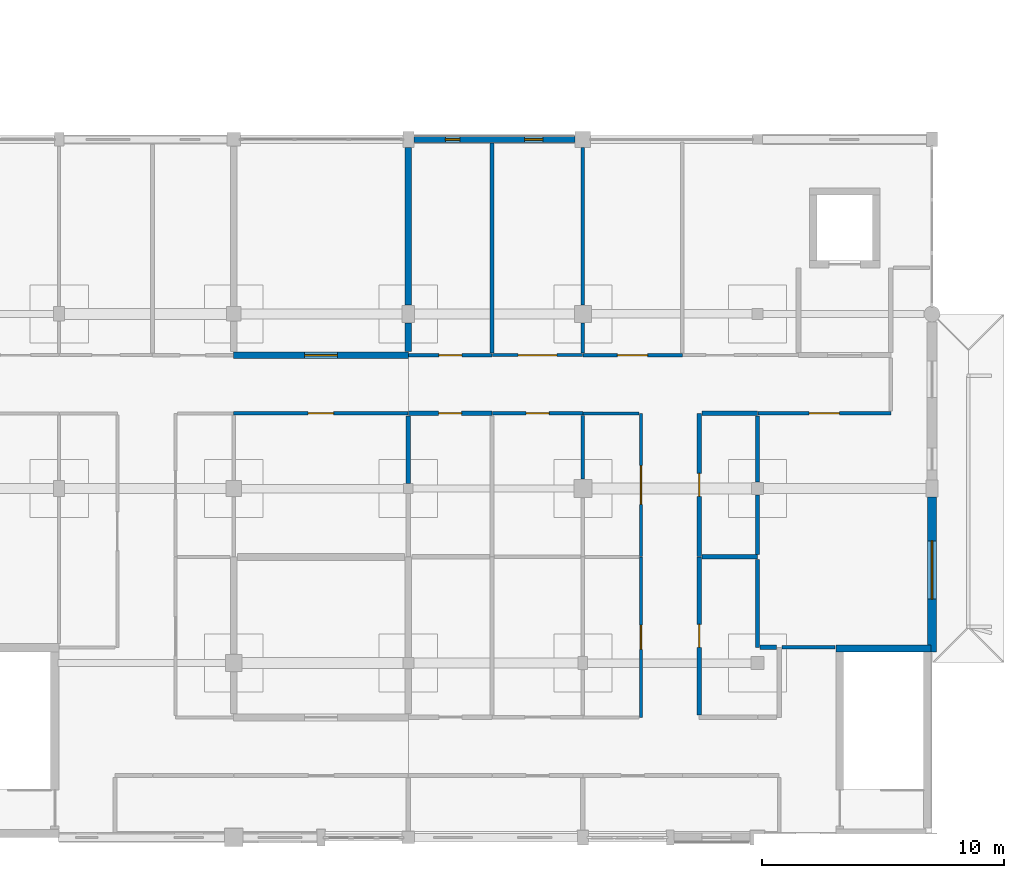
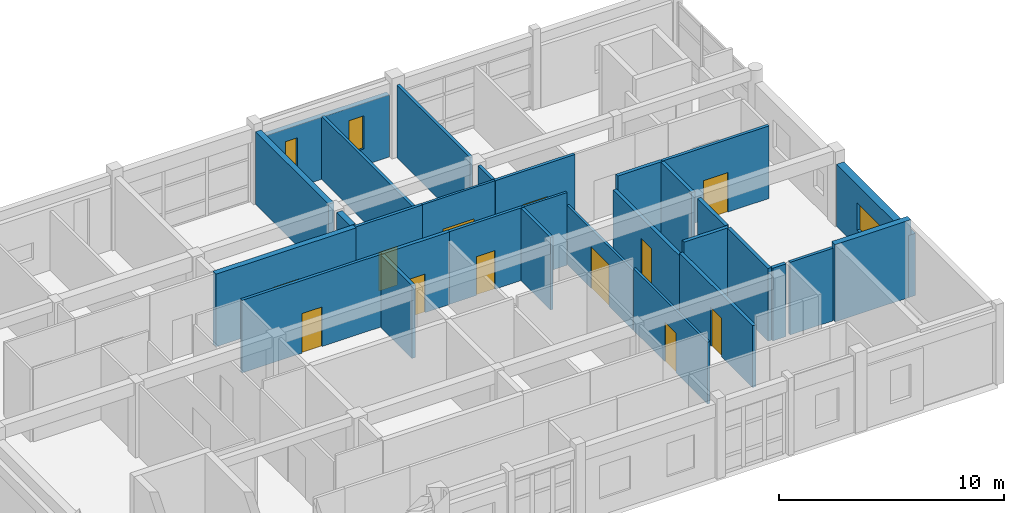
# One storey, part 93 of 110: 30 walls, 12 doors, 3 windows, 15 openings.
"""IFC4 building model written with IfcOpenShell, lengths in metres."""

from ifc_helpers import new_model, si_unit, direction, frame, frame_2d, origin, place, context, subcontext, project, spatial, rectangle, extrude, material, layer, layer_set, type_object, element, fill, save


model = new_model("IFC4")

# Units and contexts
model_context = context("Model", 3, precision=1e-05, world=origin(), true_north=direction((0.0, 1.0)))
body_context = subcontext(model_context, "Body", "Model", "MODEL_VIEW")
ifc_project = project(units=[si_unit("LENGTHUNIT", "METRE"), si_unit("AREAUNIT", "SQUARE_METRE"), si_unit("VOLUMEUNIT", "CUBIC_METRE"), si_unit("PLANEANGLEUNIT", "RADIAN"), si_unit("MASSUNIT", "GRAM", prefix="KILO")], contexts=[model_context])

# Site, building, storey
site_placement = place(None, origin())
site = spatial("IfcSite", under=ifc_project, at=site_placement, CompositionType="ELEMENT")
building_placement = place(site_placement, origin())
building = spatial("IfcBuilding", under=site, at=building_placement, Name="Steenspoor Specialist Clinic", CompositionType="ELEMENT")
storey_placement = place(building_placement, frame((0.0, 0.0, 4.800048828125)))
storey = spatial("IfcBuildingStorey", under=building, at=storey_placement, Name="L01", CompositionType="ELEMENT", Elevation=4.800048828125)

# Wall, opening, window
ifc_material_1 = material(Name="Extruded clay brick masonry", Category="masonry")
ifc_layer_1 = layer(ifc_material_1, 0.3798828125)
ifc_layer_set_1 = layer_set([ifc_layer_1], Name="Extruded clay brick masonry")
wall_type_1 = type_object("IfcWallType", Name="W-BRICK-380", PredefinedType="USERDEFINED", material=ifc_layer_set_1)
wall_1_placement = place(storey_placement, frame((161.199951171875, 27.10009765625, 0.0), z_axis=(0.0, 0.0, 1.0), x_axis=(0.0, -1.0, 0.0)))
wall_1 = element("IfcWall", 1, at=wall_1_placement, inside=storey, type_object=wall_type_1, Name="Exterior Brick Wall EW-V2-L01-0069", ObjectType="CAVITY VENEER", PredefinedType="USERDEFINED", context=body_context, shape_type="SweptSolid", body=[
    extrude(rectangle(XDim=6.400146484375, YDim=0.3798828125, at=frame_2d((3.2001953125, 0.0))), origin(), (0.0, 0.0, 1.0), 3.3798828125),
])
opening_1_placement = place(wall_1_placement, frame((1.81494140625, 0.0, 0.89990234375)))
opening_1 = element("IfcOpeningElement", 2, at=opening_1_placement, cuts=wall_1, Name="Opening WN-14", PredefinedType="OPENING", context=body_context, shape_type="SweptSolid", body=[
    extrude(rectangle(XDim=2.39990234375, YDim=1.5, at=frame_2d((1.199951171875, 0.75))), frame((0.0, 0.199951171875, 0.0), z_axis=(0.0, -1.0, 0.0), x_axis=(1.0, 0.0, 0.0)), (0.0, 0.0, 1.0), 0.39990234375),
])
ifc_material_2 = material(Name="Thermally broken aluminium and low-emissivity glass", Category="aluminium")
window_type_1 = type_object("IfcWindowType", Name="WN-EXT-240X150", PartitioningType="SINGLE_PANEL", PredefinedType="WINDOW", material=ifc_material_2)
window_1_placement = place(opening_1_placement, origin())
window_1 = element("IfcWindow", 3, at=window_1_placement, inside=storey, type_object=window_type_1, Name="Window 0085", OverallHeight=1.5, OverallWidth=2.39990234375, PartitioningType="SINGLE_PANEL", PredefinedType="WINDOW", context=body_context, shape_type="SweptSolid", body=[
    extrude(rectangle(XDim=2.39990234375, YDim=1.5, at=frame_2d((1.199951171875, 0.75))), frame((0.0, 0.030029296875, 0.0), z_axis=(0.0, -1.0, 0.0), x_axis=(1.0, 0.0, 0.0)), (0.0, 0.0, 1.0), 0.06005859375),
])
fill(opening_1, window_1)

# Wall
ifc_material_3 = material(Name="Gypsum acoustic clinical partition", Category="gypsum")
ifc_layer_2 = layer(ifc_material_3, 0.14990234375)
ifc_layer_set_2 = layer_set([ifc_layer_2], Name="Gypsum acoustic clinical partition")
wall_type_2 = type_object("IfcWallType", Name="W-CLIN-150", PredefinedType="PARTITIONING", material=ifc_layer_set_2)
wall_2_placement = place(storey_placement, frame((155.0048828125, 20.89990234375, 0.0), z_axis=(0.0, 0.0, 1.0), x_axis=(1.0, 0.0, 0.0)))
element("IfcWall", 4, at=wall_2_placement, inside=storey, type_object=wall_type_2, Name="Interior Partition IW-V2-L01-0872", PredefinedType="PARTITIONING", context=body_context, shape_type="SweptSolid", body=[
    extrude(rectangle(XDim=2.195068359375, YDim=0.14990234375, at=frame_2d((1.09765625, 0.0))), origin(), (0.0, 0.0, 1.0), 3.949951171875),
])

# Wall, opening, door
wall_3_placement = place(storey_placement, frame((154.014892578125, 30.550048828125, 0.0), z_axis=(0.0, 0.0, 1.0), x_axis=(1.0, 0.0, 0.0)))
wall_3 = element("IfcWall", 5, at=wall_3_placement, inside=storey, type_object=wall_type_2, Name="Interior Partition IW-V2-L01-0873", PredefinedType="PARTITIONING", context=body_context, shape_type="SweptSolid", body=[
    extrude(rectangle(XDim=5.485107421875, YDim=0.14990234375, at=frame_2d((2.74267578125, 0.0))), origin(), (0.0, 0.0, 1.0), 3.949951171875),
])
opening_2_placement = place(wall_3_placement, frame((2.117431640625, 0.0, 0.0)))
opening_2 = element("IfcOpeningElement", 6, at=opening_2_placement, cuts=wall_3, Name="Opening D0116", PredefinedType="OPENING", context=body_context, shape_type="SweptSolid", body=[
    extrude(rectangle(XDim=1.25, YDim=2.14990234375, at=frame_2d((0.625, 1.074951171875))), frame((0.0, 0.0849609375, 0.0), z_axis=(0.0, -1.0, 0.0), x_axis=(1.0, 0.0, 0.0)), (0.0, 0.0, 1.0), 0.169921875),
])
ifc_material_4 = material(Name="Hygienic HPL clinical timber door", Category="wood")
door_type_1 = type_object("IfcDoorType", Name="DT-EXAM-125X215", OperationType="NOTDEFINED", PredefinedType="DOOR", material=ifc_material_4)
door_1_placement = place(opening_2_placement, origin())
door_1 = element("IfcDoor", 7, at=door_1_placement, inside=storey, type_object=door_type_1, Name="Clinical Door D0116", OperationType="SINGLE_SWING_LEFT", OverallHeight=2.14990234375, OverallWidth=1.25, PredefinedType="DOOR", context=body_context, shape_type="SweptSolid", body=[
    extrude(rectangle(XDim=1.25, YDim=2.14990234375, at=frame_2d((0.625, 1.074951171875))), frame((0.0, 0.02490234375, 0.0), z_axis=(0.0, -1.0, 0.0), x_axis=(1.0, 0.0, 0.0)), (0.0, 0.0, 1.0), 0.050048828125),
])
fill(opening_2, door_1)

wall_4_placement = place(storey_placement, frame((132.39990234375, 30.550048828125, 0.0), z_axis=(0.0, 0.0, 1.0), x_axis=(1.0, 0.0, 0.0)))
wall_4 = element("IfcWall", 8, at=wall_4_placement, inside=storey, type_object=wall_type_2, Name="Interior Partition IW-V2-L01-0875", PredefinedType="PARTITIONING", context=body_context, shape_type="SweptSolid", body=[
    extrude(rectangle(XDim=7.18505859375, YDim=0.14990234375, at=frame_2d((3.592529296875, 0.0))), origin(), (0.0, 0.0, 1.0), 3.949951171875),
])
opening_3_placement = place(wall_4_placement, frame((3.0673828125, 0.0, 0.0)))
opening_3 = element("IfcOpeningElement", 9, at=opening_3_placement, cuts=wall_4, Name="Opening D0118", PredefinedType="OPENING", context=body_context, shape_type="SweptSolid", body=[
    extrude(rectangle(XDim=1.050048828125, YDim=2.14990234375, at=frame_2d((0.52490234375, 1.074951171875))), frame((0.0, 0.0849609375, 0.0), z_axis=(0.0, -1.0, 0.0), x_axis=(1.0, 0.0, 0.0)), (0.0, 0.0, 1.0), 0.169921875),
])
ifc_material_5 = material(Name="Solid-core hardwood office door", Category="wood")
door_type_2 = type_object("IfcDoorType", Name="DT-OFF-105X215", OperationType="NOTDEFINED", PredefinedType="DOOR", material=ifc_material_5)
door_2_placement = place(opening_3_placement, origin())
door_2 = element("IfcDoor", 10, at=door_2_placement, inside=storey, type_object=door_type_2, Name="Clinical Door D0118", OperationType="SINGLE_SWING_LEFT", OverallHeight=2.14990234375, OverallWidth=1.050048828125, PredefinedType="DOOR", context=body_context, shape_type="SweptSolid", body=[
    extrude(rectangle(XDim=1.050048828125, YDim=2.14990234375, at=frame_2d((0.52490234375, 1.074951171875))), frame((0.0, 0.02490234375, 0.0), z_axis=(0.0, -1.0, 0.0), x_axis=(1.0, 0.0, 0.0)), (0.0, 0.0, 1.0), 0.050048828125),
])
fill(opening_3, door_2)

wall_5_placement = place(storey_placement, frame((143.06494140625, 30.550048828125, 0.0), z_axis=(0.0, 0.0, 1.0), x_axis=(1.0, 0.0, 0.0)))
wall_5 = element("IfcWall", 11, at=wall_5_placement, inside=storey, type_object=wall_type_2, Name="Interior Partition IW-V2-L01-0876", PredefinedType="PARTITIONING", context=body_context, shape_type="SweptSolid", body=[
    extrude(rectangle(XDim=3.735107421875, YDim=0.14990234375, at=frame_2d((1.86767578125, 0.0))), origin(), (0.0, 0.0, 1.0), 3.949951171875),
])
opening_4_placement = place(wall_5_placement, frame((1.392578125, 0.0, 0.0)))
opening_4 = element("IfcOpeningElement", 12, at=opening_4_placement, cuts=wall_5, Name="Opening D0120", PredefinedType="OPENING", context=body_context, shape_type="SweptSolid", body=[
    extrude(rectangle(XDim=0.949951171875, YDim=2.10009765625, at=frame_2d((0.47509765625, 1.050048828125))), frame((0.0, 0.0849609375, 0.0), z_axis=(0.0, -1.0, 0.0), x_axis=(1.0, 0.0, 0.0)), (0.0, 0.0, 1.0), 0.169921875),
])
ifc_material_6 = material(Name="Moisture-resistant HPL sanitary door", Category="wood")
door_type_3 = type_object("IfcDoorType", Name="DT-WC-095X210", OperationType="NOTDEFINED", PredefinedType="DOOR", material=ifc_material_6)
door_3_placement = place(opening_4_placement, origin())
door_3 = element("IfcDoor", 13, at=door_3_placement, inside=storey, type_object=door_type_3, Name="Clinical Door D0120", OperationType="SINGLE_SWING_LEFT", OverallHeight=2.10009765625, OverallWidth=0.949951171875, PredefinedType="DOOR", context=body_context, shape_type="SweptSolid", body=[
    extrude(rectangle(XDim=0.949951171875, YDim=2.10009765625, at=frame_2d((0.47509765625, 1.050048828125))), frame((0.0, 0.02490234375, 0.0), z_axis=(0.0, -1.0, 0.0), x_axis=(1.0, 0.0, 0.0)), (0.0, 0.0, 1.0), 0.050048828125),
])
fill(opening_4, door_3)

wall_6_placement = place(storey_placement, frame((139.614990234375, 32.949951171875, 0.0), z_axis=(0.0, 0.0, 1.0), x_axis=(1.0, 0.0, 0.0)))
wall_6 = element("IfcWall", 14, at=wall_6_placement, inside=storey, type_object=wall_type_2, Name="Interior Partition IW-V2-L01-0878", PredefinedType="PARTITIONING", context=body_context, shape_type="SweptSolid", body=[
    extrude(rectangle(XDim=3.43505859375, YDim=0.14990234375, at=frame_2d((1.717529296875, 0.0))), origin(), (0.0, 0.0, 1.0), 3.949951171875),
])
opening_5_placement = place(wall_6_placement, frame((1.242431640625, 0.0, 0.0)))
opening_5 = element("IfcOpeningElement", 15, at=opening_5_placement, cuts=wall_6, Name="Opening D0126", PredefinedType="OPENING", context=body_context, shape_type="SweptSolid", body=[
    extrude(rectangle(XDim=0.949951171875, YDim=2.10009765625, at=frame_2d((0.47509765625, 1.050048828125))), frame((0.0, 0.0849609375, 0.0), z_axis=(0.0, -1.0, 0.0), x_axis=(1.0, 0.0, 0.0)), (0.0, 0.0, 1.0), 0.169921875),
])
door_4_placement = place(opening_5_placement, origin())
door_4 = element("IfcDoor", 16, at=door_4_placement, inside=storey, type_object=door_type_3, Name="Clinical Door D0126", OperationType="SINGLE_SWING_LEFT", OverallHeight=2.10009765625, OverallWidth=0.949951171875, PredefinedType="DOOR", context=body_context, shape_type="SweptSolid", body=[
    extrude(rectangle(XDim=0.949951171875, YDim=2.10009765625, at=frame_2d((0.47509765625, 1.050048828125))), frame((0.0, 0.02490234375, 0.0), z_axis=(0.0, -1.0, 0.0), x_axis=(1.0, 0.0, 0.0)), (0.0, 0.0, 1.0), 0.050048828125),
])
fill(opening_5, door_4)

wall_7_placement = place(storey_placement, frame((146.800048828125, 32.949951171875, 0.0), z_axis=(0.0, 0.0, 1.0), x_axis=(1.0, 0.0, 0.0)))
wall_7 = element("IfcWall", 17, at=wall_7_placement, inside=storey, type_object=wall_type_2, Name="Interior Partition IW-V2-L01-0879", PredefinedType="PARTITIONING", context=body_context, shape_type="SweptSolid", body=[
    extrude(rectangle(XDim=4.099853515625, YDim=0.14990234375, at=frame_2d((2.0498046875, 0.0))), origin(), (0.0, 0.0, 1.0), 3.949951171875),
])
opening_6_placement = place(wall_7_placement, frame((1.425048828125, 0.0, 0.0)))
opening_6 = element("IfcOpeningElement", 18, at=opening_6_placement, cuts=wall_7, Name="Opening D0128", PredefinedType="OPENING", context=body_context, shape_type="SweptSolid", body=[
    extrude(rectangle(XDim=1.25, YDim=2.14990234375, at=frame_2d((0.625, 1.074951171875))), frame((0.0, 0.0849609375, 0.0), z_axis=(0.0, -1.0, 0.0), x_axis=(1.0, 0.0, 0.0)), (0.0, 0.0, 1.0), 0.169921875),
])
door_5_placement = place(opening_6_placement, origin())
door_5 = element("IfcDoor", 19, at=door_5_placement, inside=storey, type_object=door_type_1, Name="Clinical Door D0128", OperationType="SINGLE_SWING_LEFT", OverallHeight=2.14990234375, OverallWidth=1.25, PredefinedType="DOOR", context=body_context, shape_type="SweptSolid", body=[
    extrude(rectangle(XDim=1.25, YDim=2.14990234375, at=frame_2d((0.625, 1.074951171875))), frame((0.0, 0.02490234375, 0.0), z_axis=(0.0, -1.0, 0.0), x_axis=(1.0, 0.0, 0.0)), (0.0, 0.0, 1.0), 0.050048828125),
])
fill(opening_6, door_5)

# Walls
wall_8_placement = place(storey_placement, frame((146.800048828125, 27.840087890625, 0.0), z_axis=(0.0, 0.0, 1.0), x_axis=(0.0, 1.0, 0.0)))
element("IfcWall", 20, at=wall_8_placement, inside=storey, type_object=wall_type_2, Name="Interior Partition IW-V2-L01-1174", PredefinedType="PARTITIONING", context=body_context, shape_type="SweptSolid", body=[
    extrude(rectangle(XDim=2.619873046875, YDim=0.14990234375, at=frame_2d((1.31005859375, 0.0))), origin(), (0.0, 0.0, 1.0), 3.949951171875),
])
wall_9_placement = place(storey_placement, frame((143.050048828125, 33.0400390625, 0.0), z_axis=(0.0, 0.0, 1.0), x_axis=(0.0, 1.0, 0.0)))
element("IfcWall", 21, at=wall_9_placement, inside=storey, type_object=wall_type_2, Name="Interior Partition IW-V2-L01-1176", PredefinedType="PARTITIONING", context=body_context, shape_type="SweptSolid", body=[
    extrude(rectangle(XDim=8.6650390625, YDim=0.14990234375, at=frame_2d((4.33251953125, 0.0))), origin(), (0.0, 0.0, 1.0), 3.43994140625),
])
wall_10_placement = place(storey_placement, frame((146.800048828125, 33.0400390625, 0.0), z_axis=(0.0, 0.0, 1.0), x_axis=(0.0, 1.0, 0.0)))
element("IfcWall", 22, at=wall_10_placement, inside=storey, type_object=wall_type_2, Name="Interior Partition IW-V2-L01-1177", PredefinedType="PARTITIONING", context=body_context, shape_type="SweptSolid", body=[
    extrude(rectangle(XDim=1.244873046875, YDim=0.14990234375, at=frame_2d((0.62255859375, 0.0))), origin(), (0.0, 0.0, 1.0), 3.949951171875),
])
wall_11_placement = place(storey_placement, frame((146.800048828125, 35.014892578125, 0.0), z_axis=(0.0, 0.0, 1.0), x_axis=(0.0, 1.0, 0.0)))
element("IfcWall", 23, at=wall_11_placement, inside=storey, type_object=wall_type_2, Name="Interior Partition IW-V2-L01-1178", PredefinedType="PARTITIONING", context=body_context, shape_type="SweptSolid", body=[
    extrude(rectangle(XDim=6.4951171875, YDim=0.14990234375, at=frame_2d((3.24755859375, 0.0))), origin(), (0.0, 0.0, 1.0), 3.949951171875),
])

# Wall, opening, door
ifc_material_7 = material(Name="Gypsum studio partition board", Category="gypsum")
ifc_layer_3 = layer(ifc_material_7, 0.1201171875)
ifc_layer_set_3 = layer_set([ifc_layer_3], Name="Gypsum studio partition board")
wall_type_3 = type_object("IfcWallType", Name="W-PART-120", PredefinedType="PARTITIONING", material=ifc_layer_set_3)
wall_12_placement = place(storey_placement, frame((149.199951171875, 18.010009765625, 0.0), z_axis=(0.0, 0.0, 1.0), x_axis=(0.0, 1.0, 0.0)))
wall_12 = element("IfcWall", 24, at=wall_12_placement, inside=storey, type_object=wall_type_3, Name="Interior Partition IW-V2-L01-0962", PredefinedType="PARTITIONING", context=body_context, shape_type="SweptSolid", body=[
    extrude(rectangle(XDim=6.619873046875, YDim=0.1201171875, at=frame_2d((3.31005859375, 0.0))), origin(), (0.0, 0.0, 1.0), 3.369873046875),
])
opening_7_placement = place(wall_12_placement, frame((2.81005859375, 0.0, 0.0)))
opening_7 = element("IfcOpeningElement", 25, at=opening_7_placement, cuts=wall_12, Name="Opening D0113", PredefinedType="OPENING", context=body_context, shape_type="SweptSolid", body=[
    extrude(rectangle(XDim=1.0, YDim=2.14990234375, at=frame_2d((0.5, 1.074951171875))), frame((0.0, 0.070068359375, 0.0), z_axis=(0.0, -1.0, 0.0), x_axis=(1.0, 0.0, 0.0)), (0.0, 0.0, 1.0), 0.14013671875),
])
ifc_material_8 = material(Name="Moisture-resistant HPL accessible WC door", Category="wood")
door_type_4 = type_object("IfcDoorType", Name="DT-AWC-100X215", OperationType="NOTDEFINED", PredefinedType="DOOR", material=ifc_material_8)
door_6_placement = place(opening_7_placement, origin())
door_6 = element("IfcDoor", 26, at=door_6_placement, inside=storey, type_object=door_type_4, Name="Clinical Door D0113", OperationType="SINGLE_SWING_RIGHT", OverallHeight=2.14990234375, OverallWidth=1.0, PredefinedType="DOOR", context=body_context, shape_type="SweptSolid", body=[
    extrude(rectangle(XDim=1.0, YDim=2.14990234375, at=frame_2d((0.5, 1.074951171875))), frame((0.0, 0.02490234375, 0.0), z_axis=(0.0, -1.0, 0.0), x_axis=(1.0, 0.0, 0.0)), (0.0, 0.0, 1.0), 0.050048828125),
])
fill(opening_7, door_6)

wall_13_placement = place(storey_placement, frame((149.199951171875, 24.64501953125, 0.0), z_axis=(0.0, 0.0, 1.0), x_axis=(0.0, 1.0, 0.0)))
wall_13 = element("IfcWall", 27, at=wall_13_placement, inside=storey, type_object=wall_type_3, Name="Interior Partition IW-V2-L01-0969", PredefinedType="PARTITIONING", context=body_context, shape_type="SweptSolid", body=[
    extrude(rectangle(XDim=5.905029296875, YDim=0.1201171875, at=frame_2d((2.95263671875, 0.0))), origin(), (0.0, 0.0, 1.0), 3.219970703125),
])
opening_8_placement = place(wall_13_placement, frame((2.152587890625, 0.0, 0.0)))
opening_8 = element("IfcOpeningElement", 28, at=opening_8_placement, cuts=wall_13, Name="Opening D0121", PredefinedType="OPENING", context=body_context, shape_type="SweptSolid", body=[
    extrude(rectangle(XDim=1.60009765625, YDim=2.25, at=frame_2d((0.800048828125, 1.125))), frame((0.0, 0.070068359375, 0.0), z_axis=(0.0, -1.0, 0.0), x_axis=(1.0, 0.0, 0.0)), (0.0, 0.0, 1.0), 0.14013671875),
])
door_type_5 = type_object("IfcDoorType", Name="DT-PROC-160X225", OperationType="NOTDEFINED", PredefinedType="DOOR", material=ifc_material_4)
door_7_placement = place(opening_8_placement, origin())
door_7 = element("IfcDoor", 29, at=door_7_placement, inside=storey, type_object=door_type_5, Name="Clinical Door D0121", OperationType="SINGLE_SWING_RIGHT", OverallHeight=2.25, OverallWidth=1.60009765625, PredefinedType="DOOR", context=body_context, shape_type="SweptSolid", body=[
    extrude(rectangle(XDim=1.60009765625, YDim=2.25, at=frame_2d((0.800048828125, 1.125))), frame((0.0, 0.02490234375, 0.0), z_axis=(0.0, -1.0, 0.0), x_axis=(1.0, 0.0, 0.0)), (0.0, 0.0, 1.0), 0.050048828125),
])
fill(opening_8, door_7)

# Wall
wall_14_placement = place(storey_placement, frame((146.81494140625, 30.550048828125, 0.0), z_axis=(0.0, 0.0, 1.0), x_axis=(1.0, 0.0, 0.0)))
element("IfcWall", 30, at=wall_14_placement, inside=storey, type_object=wall_type_3, Name="Interior Partition IW-V2-L01-0970", PredefinedType="PARTITIONING", context=body_context, shape_type="SweptSolid", body=[
    extrude(rectangle(XDim=2.31005859375, YDim=0.1201171875, at=frame_2d((1.155029296875, 0.0))), origin(), (0.0, 0.0, 1.0), 3.949951171875),
])

# Wall, opening, door
wall_15_placement = place(storey_placement, frame((143.06494140625, 32.949951171875, 0.0), z_axis=(0.0, 0.0, 1.0), x_axis=(1.0, 0.0, 0.0)))
wall_15 = element("IfcWall", 31, at=wall_15_placement, inside=storey, type_object=wall_type_3, Name="Interior Partition IW-V2-L01-0972", PredefinedType="PARTITIONING", context=body_context, shape_type="SweptSolid", body=[
    extrude(rectangle(XDim=3.719970703125, YDim=0.1201171875, at=frame_2d((1.85986328125, 0.0))), origin(), (0.0, 0.0, 1.0), 3.949951171875),
])
opening_9_placement = place(wall_15_placement, frame((1.06005859375, 0.0, 0.0)))
opening_9 = element("IfcOpeningElement", 32, at=opening_9_placement, cuts=wall_15, Name="Opening D0127", PredefinedType="OPENING", context=body_context, shape_type="SweptSolid", body=[
    extrude(rectangle(XDim=1.60009765625, YDim=2.25, at=frame_2d((0.800048828125, 1.125))), frame((0.0, 0.070068359375, 0.0), z_axis=(0.0, -1.0, 0.0), x_axis=(1.0, 0.0, 0.0)), (0.0, 0.0, 1.0), 0.14013671875),
])
door_8_placement = place(opening_9_placement, origin())
door_8 = element("IfcDoor", 33, at=door_8_placement, inside=storey, type_object=door_type_5, Name="Clinical Door D0127", OperationType="SINGLE_SWING_RIGHT", OverallHeight=2.25, OverallWidth=1.60009765625, PredefinedType="DOOR", context=body_context, shape_type="SweptSolid", body=[
    extrude(rectangle(XDim=1.60009765625, YDim=2.25, at=frame_2d((0.800048828125, 1.125))), frame((0.0, 0.02490234375, 0.0), z_axis=(0.0, -1.0, 0.0), x_axis=(1.0, 0.0, 0.0)), (0.0, 0.0, 1.0), 0.050048828125),
])
fill(opening_9, door_8)

ifc_material_9 = material(Name="Moisture-resistant gypsum plumbing wall", Category="gypsum")
ifc_layer_4 = layer(ifc_material_9, 0.179931640625)
ifc_layer_set_4 = layer_set([ifc_layer_4], Name="Moisture-resistant gypsum plumbing wall")
wall_type_4 = type_object("IfcWallType", Name="W-PLUMB-180", PredefinedType="PLUMBINGWALL", material=ifc_layer_set_4)
wall_16_placement = place(storey_placement, frame((151.60009765625, 18.114990234375, 0.0), z_axis=(0.0, 0.0, 1.0), x_axis=(0.0, 1.0, 0.0)))
wall_16 = element("IfcWall", 34, at=wall_16_placement, inside=storey, type_object=wall_type_4, Name="Interior Partition IW-V2-L01-0754", PredefinedType="PLUMBINGWALL", context=body_context, shape_type="SweptSolid", body=[
    extrude(rectangle(XDim=6.514892578125, YDim=0.179931640625, at=frame_2d((3.25732421875, 0.0))), origin(), (0.0, 0.0, 1.0), 3.369873046875),
])
opening_10_placement = place(wall_16_placement, frame((2.782470703125, 0.0, 0.0)))
opening_10 = element("IfcOpeningElement", 35, at=opening_10_placement, cuts=wall_16, Name="Opening D0114", PredefinedType="OPENING", context=body_context, shape_type="SweptSolid", body=[
    extrude(rectangle(XDim=0.949951171875, YDim=2.10009765625, at=frame_2d((0.47509765625, 1.050048828125))), frame((0.0, 0.10009765625, 0.0), z_axis=(0.0, -1.0, 0.0), x_axis=(1.0, 0.0, 0.0)), (0.0, 0.0, 1.0), 0.199951171875),
])
door_9_placement = place(opening_10_placement, origin())
door_9 = element("IfcDoor", 36, at=door_9_placement, inside=storey, type_object=door_type_3, Name="Clinical Door D0114", OperationType="SINGLE_SWING_LEFT", OverallHeight=2.10009765625, OverallWidth=0.949951171875, PredefinedType="DOOR", context=body_context, shape_type="SweptSolid", body=[
    extrude(rectangle(XDim=0.949951171875, YDim=2.10009765625, at=frame_2d((0.47509765625, 1.050048828125))), frame((0.0, 0.02490234375, 0.0), z_axis=(0.0, -1.0, 0.0), x_axis=(1.0, 0.0, 0.0)), (0.0, 0.0, 1.0), 0.050048828125),
])
fill(opening_10, door_9)

wall_17_placement = place(storey_placement, frame((139.60009765625, 30.550048828125, 0.0), z_axis=(0.0, 0.0, 1.0), x_axis=(1.0, 0.0, 0.0)))
wall_17 = element("IfcWall", 37, at=wall_17_placement, inside=storey, type_object=wall_type_4, Name="Interior Partition IW-V2-L01-0757", PredefinedType="PLUMBINGWALL", context=body_context, shape_type="SweptSolid", body=[
    extrude(rectangle(XDim=3.449951171875, YDim=0.179931640625, at=frame_2d((1.72509765625, 0.0))), origin(), (0.0, 0.0, 1.0), 3.949951171875),
])
opening_11_placement = place(wall_17_placement, frame((1.25, 0.0, 0.0)))
opening_11 = element("IfcOpeningElement", 38, at=opening_11_placement, cuts=wall_17, Name="Opening D0119", PredefinedType="OPENING", context=body_context, shape_type="SweptSolid", body=[
    extrude(rectangle(XDim=0.949951171875, YDim=2.10009765625, at=frame_2d((0.47509765625, 1.050048828125))), frame((0.0, 0.10009765625, 0.0), z_axis=(0.0, -1.0, 0.0), x_axis=(1.0, 0.0, 0.0)), (0.0, 0.0, 1.0), 0.199951171875),
])
door_10_placement = place(opening_11_placement, origin())
door_10 = element("IfcDoor", 39, at=door_10_placement, inside=storey, type_object=door_type_3, Name="Clinical Door D0119", OperationType="SINGLE_SWING_RIGHT", OverallHeight=2.10009765625, OverallWidth=0.949951171875, PredefinedType="DOOR", context=body_context, shape_type="SweptSolid", body=[
    extrude(rectangle(XDim=0.949951171875, YDim=2.10009765625, at=frame_2d((0.47509765625, 1.050048828125))), frame((0.0, 0.02490234375, 0.0), z_axis=(0.0, -1.0, 0.0), x_axis=(1.0, 0.0, 0.0)), (0.0, 0.0, 1.0), 0.050048828125),
])
fill(opening_11, door_10)

wall_18_placement = place(storey_placement, frame((151.60009765625, 24.64501953125, 0.0), z_axis=(0.0, 0.0, 1.0), x_axis=(0.0, 1.0, 0.0)))
wall_18 = element("IfcWall", 40, at=wall_18_placement, inside=storey, type_object=wall_type_4, Name="Interior Partition IW-V2-L01-0758", PredefinedType="PLUMBINGWALL", context=body_context, shape_type="SweptSolid", body=[
    extrude(rectangle(XDim=5.905029296875, YDim=0.179931640625, at=frame_2d((2.95263671875, 0.0))), origin(), (0.0, 0.0, 1.0), 3.219970703125),
])
opening_12_placement = place(wall_18_placement, frame((2.4775390625, 0.0, 0.0)))
opening_12 = element("IfcOpeningElement", 41, at=opening_12_placement, cuts=wall_18, Name="Opening D0122", PredefinedType="OPENING", context=body_context, shape_type="SweptSolid", body=[
    extrude(rectangle(XDim=0.949951171875, YDim=2.10009765625, at=frame_2d((0.47509765625, 1.050048828125))), frame((0.0, 0.10009765625, 0.0), z_axis=(0.0, -1.0, 0.0), x_axis=(1.0, 0.0, 0.0)), (0.0, 0.0, 1.0), 0.199951171875),
])
door_11_placement = place(opening_12_placement, origin())
door_11 = element("IfcDoor", 42, at=door_11_placement, inside=storey, type_object=door_type_3, Name="Clinical Door D0122", OperationType="SINGLE_SWING_LEFT", OverallHeight=2.10009765625, OverallWidth=0.949951171875, PredefinedType="DOOR", context=body_context, shape_type="SweptSolid", body=[
    extrude(rectangle(XDim=0.949951171875, YDim=2.10009765625, at=frame_2d((0.47509765625, 1.050048828125))), frame((0.0, 0.02490234375, 0.0), z_axis=(0.0, -1.0, 0.0), x_axis=(1.0, 0.0, 0.0)), (0.0, 0.0, 1.0), 0.050048828125),
])
fill(opening_12, door_11)

# Walls
for number, where, z_axis, x_axis, name in (
    (43, (151.705078125, 30.550048828125, 0.0), (0.0, 0.0, 1.0), (1.0, 0.0, 0.0), "Interior Partition IW-V2-L01-0759"),
    (44, (151.705078125, 24.6298828125, 0.0), (0.0, 0.0, 1.0), (1.0, 0.0, 0.0), "Interior Partition IW-V2-L01-1085"),
):
    element("IfcWall", number, at=place(storey_placement, frame(where, z_axis=z_axis, x_axis=x_axis)), inside=storey, type_object=wall_type_4, Name=name, PredefinedType="PLUMBINGWALL", context=body_context, shape_type="SweptSolid", body=[
        extrude(rectangle(XDim=2.294921875, YDim=0.179931640625, at=frame_2d((1.1474609375, 0.0))), origin(), (0.0, 0.0, 1.0), 3.949951171875),
    ])
wall_19_placement = place(storey_placement, frame((154.0, 20.89990234375, 0.0), z_axis=(0.0, 0.0, 1.0), x_axis=(0.0, 1.0, 0.0)))
element("IfcWall", 45, at=wall_19_placement, inside=storey, type_object=wall_type_4, Name="Interior Partition IW-V2-L01-1086", PredefinedType="PLUMBINGWALL", context=body_context, shape_type="SweptSolid", body=[
    extrude(rectangle(XDim=3.625, YDim=0.179931640625, at=frame_2d((1.8125, 0.0))), origin(), (0.0, 0.0, 1.0), 3.949951171875),
])
wall_20_placement = place(storey_placement, frame((154.10498046875, 20.89990234375, 0.0), z_axis=(0.0, 0.0, 1.0), x_axis=(1.0, 0.0, 0.0)))
element("IfcWall", 46, at=wall_20_placement, inside=storey, type_object=wall_type_4, Name="Interior Partition IW-V2-L01-1087", PredefinedType="PLUMBINGWALL", context=body_context, shape_type="SweptSolid", body=[
    extrude(rectangle(XDim=0.68994140625, YDim=0.179931640625, at=frame_2d((0.344970703125, 0.0))), origin(), (0.0, 0.0, 1.0), 3.949951171875),
])
wall_21_placement = place(storey_placement, frame((154.0, 24.735107421875, 0.0), z_axis=(0.0, 0.0, 1.0), x_axis=(0.0, 1.0, 0.0)))
element("IfcWall", 47, at=wall_21_placement, inside=storey, type_object=wall_type_4, Name="Interior Partition IW-V2-L01-1088", PredefinedType="PLUMBINGWALL", context=body_context, shape_type="SweptSolid", body=[
    extrude(rectangle(XDim=2.449951171875, YDim=0.179931640625, at=frame_2d((1.22509765625, 0.0))), origin(), (0.0, 0.0, 1.0), 3.949951171875),
])
wall_22_placement = place(storey_placement, frame((154.0, 27.715087890625, 0.0), z_axis=(0.0, 0.0, 1.0), x_axis=(0.0, 1.0, 0.0)))
element("IfcWall", 48, at=wall_22_placement, inside=storey, type_object=wall_type_4, Name="Interior Partition IW-V2-L01-1089", PredefinedType="PLUMBINGWALL", context=body_context, shape_type="SweptSolid", body=[
    extrude(rectangle(XDim=2.72998046875, YDim=0.179931640625, at=frame_2d((1.364990234375, 0.0))), origin(), (0.0, 0.0, 1.0), 3.949951171875),
])
wall_23_placement = place(storey_placement, frame((139.60009765625, 27.6650390625, 0.0), z_axis=(0.0, 0.0, 1.0), x_axis=(0.0, 1.0, 0.0)))
element("IfcWall", 49, at=wall_23_placement, inside=storey, type_object=wall_type_4, Name="Interior Partition IW-V2-L01-1091", PredefinedType="PLUMBINGWALL", context=body_context, shape_type="SweptSolid", body=[
    extrude(rectangle(XDim=2.780029296875, YDim=0.179931640625, at=frame_2d((1.39013671875, 0.0))), origin(), (0.0, 0.0, 1.0), 3.949951171875),
])

# Wall, opening, door
ifc_material_10 = material(Name="Lead-lined radiation brick partition", Category="masonry")
ifc_layer_5 = layer(ifc_material_10, 0.280029296875)
ifc_layer_set_5 = layer_set([ifc_layer_5], Name="Lead-lined radiation brick partition")
wall_type_5 = type_object("IfcWallType", Name="W-RAD-280", PredefinedType="PARTITIONING", material=ifc_layer_set_5)
wall_24_placement = place(storey_placement, frame((132.39990234375, 32.949951171875, 0.0), z_axis=(0.0, 0.0, 1.0), x_axis=(1.0, 0.0, 0.0)))
wall_24 = element("IfcWall", 50, at=wall_24_placement, inside=storey, type_object=wall_type_5, Name="Interior Partition IW-V2-L01-0697", PredefinedType="PARTITIONING", context=body_context, shape_type="SweptSolid", body=[
    extrude(rectangle(XDim=7.2001953125, YDim=0.280029296875, at=frame_2d((3.60009765625, 0.0))), origin(), (0.0, 0.0, 1.0), 3.949951171875),
])
opening_13_placement = place(wall_24_placement, frame((2.925048828125, 0.0, 0.0)))
opening_13 = element("IfcOpeningElement", 51, at=opening_13_placement, cuts=wall_24, Name="Opening D0125", PredefinedType="OPENING", context=body_context, shape_type="SweptSolid", body=[
    extrude(rectangle(XDim=1.35009765625, YDim=2.199951171875, at=frame_2d((0.675048828125, 1.10009765625))), frame((0.0, 0.14990234375, 0.0), z_axis=(0.0, -1.0, 0.0), x_axis=(1.0, 0.0, 0.0)), (0.0, 0.0, 1.0), 0.300048828125),
])
ifc_material_11 = material(Name="Lead-lined radiation clinical door", Category="steel")
door_type_6 = type_object("IfcDoorType", Name="DT-RAD-135X220", OperationType="NOTDEFINED", PredefinedType="DOOR", material=ifc_material_11)
door_12_placement = place(opening_13_placement, origin())
door_12 = element("IfcDoor", 52, at=door_12_placement, inside=storey, type_object=door_type_6, Name="Clinical Door D0125", OperationType="SINGLE_SWING_RIGHT", OverallHeight=2.199951171875, OverallWidth=1.35009765625, PredefinedType="DOOR", context=body_context, shape_type="SweptSolid", body=[
    extrude(rectangle(XDim=1.35009765625, YDim=2.199951171875, at=frame_2d((0.675048828125, 1.10009765625))), frame((0.0, 0.02490234375, 0.0), z_axis=(0.0, -1.0, 0.0), x_axis=(1.0, 0.0, 0.0)), (0.0, 0.0, 1.0), 0.050048828125),
])
fill(opening_13, door_12)

# Walls
wall_25_placement = place(storey_placement, frame((139.60009765625, 33.10498046875, 0.0), z_axis=(0.0, 0.0, 1.0), x_axis=(0.0, 1.0, 0.0)))
element("IfcWall", 53, at=wall_25_placement, inside=storey, type_object=wall_type_5, Name="Interior Partition IW-V2-L01-1035", PredefinedType="PARTITIONING", context=body_context, shape_type="SweptSolid", body=[
    extrude(rectangle(XDim=1.179931640625, YDim=0.280029296875, at=frame_2d((0.58984375, 0.0))), origin(), (0.0, 0.0, 1.0), 3.949951171875),
])
wall_26_placement = place(storey_placement, frame((139.60009765625, 35.014892578125, 0.0), z_axis=(0.0, 0.0, 1.0), x_axis=(0.0, 1.0, 0.0)))
element("IfcWall", 54, at=wall_26_placement, inside=storey, type_object=wall_type_5, Name="Interior Partition IW-V2-L01-1036", PredefinedType="PARTITIONING", context=body_context, shape_type="SweptSolid", body=[
    extrude(rectangle(XDim=6.4951171875, YDim=0.280029296875, at=frame_2d((3.24755859375, 0.0))), origin(), (0.0, 0.0, 1.0), 3.949951171875),
])

# Wall, openings, windows
ifc_layer_6 = layer(ifc_material_1, 0.260009765625)
ifc_layer_set_6 = layer_set([ifc_layer_6], Name="Extruded clay brick masonry")
wall_type_6 = type_object("IfcWallType", Name="W-SCREEN-260", PredefinedType="SOLIDWALL", material=ifc_layer_set_6)
wall_27_placement = place(storey_placement, frame((139.824951171875, 41.85009765625, 0.0), z_axis=(0.0, 0.0, 1.0), x_axis=(1.0, 0.0, 0.0)))
wall_27 = element("IfcWall", 55, at=wall_27_placement, inside=storey, type_object=wall_type_6, Name="Exterior Brick Wall EW-V2-L01-0066", PredefinedType="SOLIDWALL", context=body_context, shape_type="SweptSolid", body=[
    extrude(rectangle(XDim=6.650146484375, YDim=0.260009765625, at=frame_2d((3.3251953125, 0.0))), origin(), (0.0, 0.0, 1.0), 3.3798828125),
])
opening_14_placement = place(wall_27_placement, frame((1.302490234375, 0.0, 0.89990234375)))
opening_14 = element("IfcOpeningElement", 56, at=opening_14_placement, cuts=wall_27, Name="Opening WN-01", PredefinedType="OPENING", context=body_context, shape_type="SweptSolid", body=[
    extrude(rectangle(XDim=0.60009765625, YDim=1.800048828125, at=frame_2d((0.300048828125, 0.89990234375))), frame((0.0, 0.14013671875, 0.0), z_axis=(0.0, -1.0, 0.0), x_axis=(1.0, 0.0, 0.0)), (0.0, 0.0, 1.0), 0.280029296875),
])
opening_15_placement = place(wall_27_placement, frame((4.572509765625, 0.0, 0.89990234375)))
opening_15 = element("IfcOpeningElement", 57, at=opening_15_placement, cuts=wall_27, Name="Opening WN-02", PredefinedType="OPENING", context=body_context, shape_type="SweptSolid", body=[
    extrude(rectangle(XDim=0.75, YDim=1.800048828125, at=frame_2d((0.375, 0.89990234375))), frame((0.0, 0.14013671875, 0.0), z_axis=(0.0, -1.0, 0.0), x_axis=(1.0, 0.0, 0.0)), (0.0, 0.0, 1.0), 0.280029296875),
])
window_type_2 = type_object("IfcWindowType", Name="WN-EXT-060X180", PartitioningType="SINGLE_PANEL", PredefinedType="WINDOW", material=ifc_material_2)
window_2_placement = place(opening_14_placement, origin())
window_2 = element("IfcWindow", 58, at=window_2_placement, inside=storey, type_object=window_type_2, Name="Window 0080", OverallHeight=1.800048828125, OverallWidth=0.60009765625, PartitioningType="SINGLE_PANEL", PredefinedType="WINDOW", context=body_context, shape_type="SweptSolid", body=[
    extrude(rectangle(XDim=0.60009765625, YDim=1.800048828125, at=frame_2d((0.300048828125, 0.89990234375))), frame((0.0, 0.030029296875, 0.0), z_axis=(0.0, -1.0, 0.0), x_axis=(1.0, 0.0, 0.0)), (0.0, 0.0, 1.0), 0.06005859375),
])
fill(opening_14, window_2)
window_type_3 = type_object("IfcWindowType", Name="WN-EXT-075X180", PartitioningType="SINGLE_PANEL", PredefinedType="WINDOW", material=ifc_material_2)
window_3_placement = place(opening_15_placement, origin())
window_3 = element("IfcWindow", 59, at=window_3_placement, inside=storey, type_object=window_type_3, Name="Window 0081", OverallHeight=1.800048828125, OverallWidth=0.75, PartitioningType="SINGLE_PANEL", PredefinedType="WINDOW", context=body_context, shape_type="SweptSolid", body=[
    extrude(rectangle(XDim=0.75, YDim=1.800048828125, at=frame_2d((0.375, 0.89990234375))), frame((0.0, 0.030029296875, 0.0), z_axis=(0.0, -1.0, 0.0), x_axis=(1.0, 0.0, 0.0)), (0.0, 0.0, 1.0), 0.06005859375),
])
fill(opening_15, window_3)

# Wall
ifc_material_12 = material(Name="Concrete C40/50", Category="concrete")
ifc_layer_7 = layer(ifc_material_12, 0.300048828125)
ifc_layer_set_7 = layer_set([ifc_layer_7], Name="Concrete C40/50")
wall_type_7 = type_object("IfcWallType", Name="W-SW-300", PredefinedType="SHEAR", material=ifc_layer_set_7)
wall_28_placement = place(storey_placement, frame((157.25, 20.85009765625, 0.0), z_axis=(0.0, 0.0, 1.0), x_axis=(1.0, 0.0, 0.0)))
element("IfcWall", 60, at=wall_28_placement, inside=storey, type_object=wall_type_7, Name="Core Shear Wall SW-ST-V2B-L01-N", PredefinedType="SHEAR", context=body_context, shape_type="SweptSolid", body=[
    extrude(rectangle(XDim=3.89990234375, YDim=0.300048828125, at=frame_2d((1.949951171875, 0.0))), origin(), (0.0, 0.0, 1.0), 4.199951171875),
])

save(model, "model.ifc")
